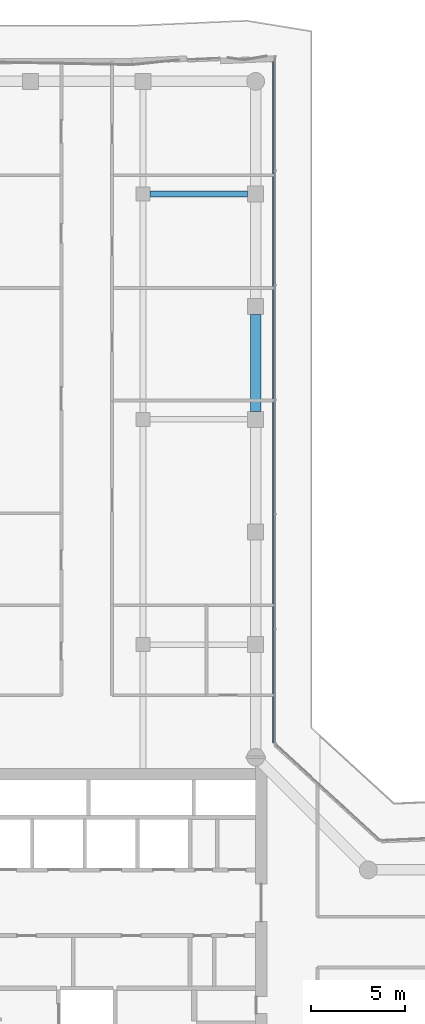
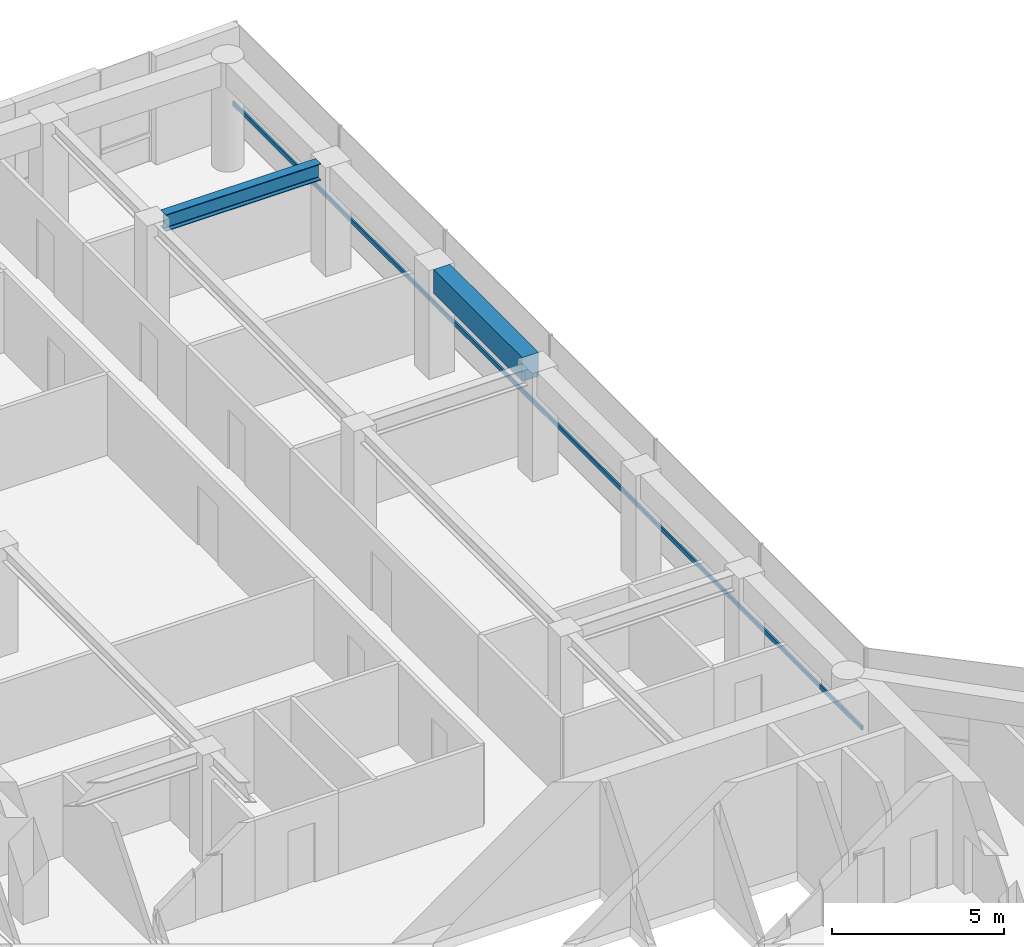
# One storey, part 14 of 21: 2 beams, 1 member, 1 element without a shape of its own.
"""IFC4 building model written with IfcOpenShell, lengths in metres."""

from ifc_helpers import new_model, si_unit, direction, frame, origin, origin_2d, place, context, subcontext, project, spatial, rectangle, i_section, extrude, material, layer, layer_set, material_profile, profile_set, type_object, element, aggregate, save


model = new_model("IFC4")

# Units and contexts
model_context = context("Model", 3, precision=1e-05, world=origin(), true_north=direction((0.0, 1.0)))
body_context = subcontext(model_context, "Body", "Model", "MODEL_VIEW")
ifc_project = project(units=[si_unit("LENGTHUNIT", "METRE"), si_unit("AREAUNIT", "SQUARE_METRE"), si_unit("VOLUMEUNIT", "CUBIC_METRE"), si_unit("PLANEANGLEUNIT", "RADIAN"), si_unit("MASSUNIT", "GRAM", prefix="KILO")], contexts=[model_context])

# Site, building, storey
site_placement = place(None, origin())
site = spatial("IfcSite", under=ifc_project, at=site_placement, CompositionType="ELEMENT")
building_placement = place(site_placement, origin())
building = spatial("IfcBuilding", under=site, at=building_placement, Name="Welwitschia Terrace Campus", CompositionType="ELEMENT")
storey_placement = place(building_placement, frame((0.0, 0.0, 180.199951171875)))
storey = spatial("IfcBuildingStorey", under=building, at=storey_placement, Name="L40", CompositionType="ELEMENT", Elevation=180.199951171875)

# Beams
ifc_material_1 = material(Name="Steel S355", Category="steel")
ifc_material_profile_1 = material_profile(ifc_material_1, i_section(OverallWidth=0.300048828125, OverallDepth=0.590087890625, WebThickness=0.012939453125, FlangeThickness=0.02490234375, FilletRadius=0.027099609375, at=origin_2d()))
ifc_profile_set_1 = profile_set([ifc_material_profile_1], Name="Steel S355")
beam_type_1 = type_object("IfcBeamType", Name="Primary beam HE 600 A", PredefinedType="BEAM", material=ifc_profile_set_1)
beam_1_placement = place(storey_placement, frame((23.574462890625, 56.0, 3.554931640625), z_axis=(-1.0, 0.0, 0.0), x_axis=(0.0, -1.0, 0.0)))
element("IfcBeam", 1, at=beam_1_placement, inside=storey, type_object=beam_type_1, Name="Primary beam PB4", PredefinedType="BEAM", context=body_context, shape_type="SweptSolid", body=[
    extrude(i_section(OverallWidth=0.300048828125, OverallDepth=0.590087890625, WebThickness=0.012939453125, FlangeThickness=0.02490234375, FilletRadius=0.027099609375, at=origin_2d()), origin(), (0.0, 0.0, 1.0), 5.198974609375),
])
ifc_material_2 = material(Name="Concrete C50/60", Category="concrete")
ifc_material_profile_2 = material_profile(ifc_material_2, rectangle(XDim=0.550048828125, YDim=0.85009765625, at=origin_2d()))
ifc_profile_set_2 = profile_set([ifc_material_profile_2], Name="Concrete C50/60")
beam_type_2 = type_object("IfcBeamType", Name="Ring spandrel 550x850", PredefinedType="SPANDREL", material=ifc_profile_set_2)
beam_2_placement = place(storey_placement, frame((24.0, 44.425537109375, 3.425048828125), z_axis=(0.0, 1.0, 0.0), x_axis=(-1.0, 0.0, 0.0)))
element("IfcBeam", 2, at=beam_2_placement, inside=storey, type_object=beam_type_2, Name="Spandrel SP3", PredefinedType="SPANDREL", context=body_context, shape_type="SweptSolid", body=[
    extrude(rectangle(XDim=0.550048828125, YDim=0.85009765625, at=origin_2d()), origin(), (0.0, 0.0, 1.0), 5.14892578125),
])

# Curtain wall, member
ifc_material_3 = material(Name="Bronze anodised aluminium", Category="aluminium")
ifc_layer = layer(ifc_material_3, 0.1201171875)
ifc_layer_set = layer_set([ifc_layer], Name="Bronze anodised aluminium")
curtain_wall_type = type_object("IfcCurtainWallType", Name="Curtain wall CW2 tower 6000", PredefinedType="NOTDEFINED", material=ifc_layer_set)
curtain_wall_placement = place(storey_placement, origin())
curtain_wall = element("IfcCurtainWall", 3, at=curtain_wall_placement, inside=storey, type_object=curtain_wall_type, Name="CW L40.7.0", PredefinedType="NOTDEFINED")
ifc_material_4 = material(Name="Bronze anodised aluminium", Category="aluminium")
ifc_material_profile_3 = material_profile(ifc_material_4, rectangle(XDim=0.06005859375, YDim=0.14990234375, at=origin_2d()))
ifc_profile_set_3 = profile_set([ifc_material_profile_3], Name="Bronze anodised aluminium")
member_type = type_object("IfcMemberType", Name="Transom 60x150", PredefinedType="USERDEFINED", material=ifc_profile_set_3)
member_placement = place(storey_placement, frame((24.93994140625, 26.77880859375, 1.0), z_axis=(0.0, 1.0, 0.0), x_axis=(-1.0, 0.0, 0.0)))
member = element("IfcMember", 4, at=member_placement, type_object=member_type, Name="Transom L40.7.0", ObjectType="TRANSOM", PredefinedType="USERDEFINED", context=body_context, shape_type="SweptSolid", body=[
    extrude(rectangle(XDim=0.06005859375, YDim=0.14990234375, at=origin_2d()), origin(), (0.0, 0.0, 1.0), 36.523681640625),
])
aggregate(curtain_wall, [member])

save(model, "model.ifc")
